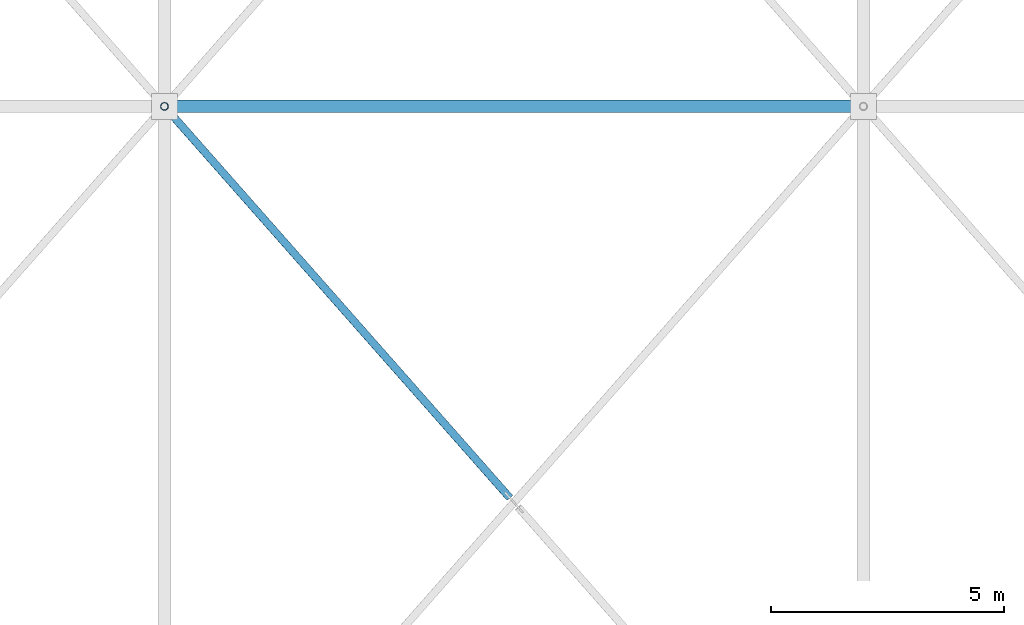
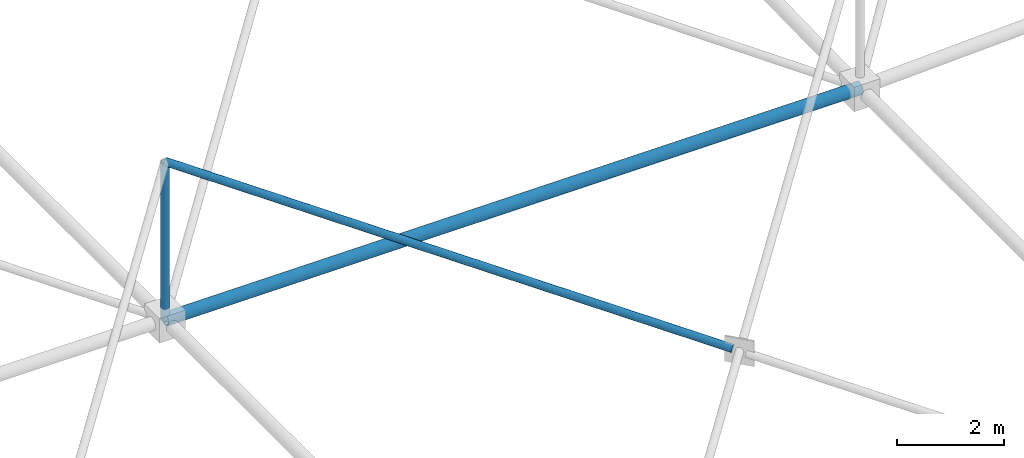
# One storey, part 101 of 224: 3 members.
"""IFC4 building model written with IfcOpenShell, lengths in metres."""

from ifc_helpers import new_model, si_unit, direction, frame, origin, origin_2d, place, context, subcontext, project, spatial, hollow_circle, extrude, material, material_profile, profile_set, type_object, element, save


model = new_model("IFC4")

# Units and contexts
model_context = context("Model", 3, precision=1e-05, world=origin(), true_north=direction((0.0, 1.0)))
body_context = subcontext(model_context, "Body", "Model", "MODEL_VIEW")
ifc_project = project(units=[si_unit("LENGTHUNIT", "METRE"), si_unit("AREAUNIT", "SQUARE_METRE"), si_unit("VOLUMEUNIT", "CUBIC_METRE"), si_unit("PLANEANGLEUNIT", "RADIAN"), si_unit("MASSUNIT", "GRAM", prefix="KILO")], contexts=[model_context])

# Site, building, storey
site_placement = place(None, origin())
site = spatial("IfcSite", under=ifc_project, at=site_placement, CompositionType="ELEMENT")
building_placement = place(site_placement, origin())
building = spatial("IfcBuilding", under=site, at=building_placement, Name="Qamarlyn Nura Convention Centre", CompositionType="ELEMENT")
storey_placement = place(building_placement, frame((0.0, 0.0, 10.800048828125)))
storey = spatial("IfcBuildingStorey", under=building, at=storey_placement, Name="L02", CompositionType="ELEMENT", Elevation=10.800048828125)

# Members
ifc_material = material(Name="Pearl-white PVDF steel ASTM A500 Grade C", Category="steel")
ifc_material_profile_1 = material_profile(ifc_material, hollow_circle(Radius=0.136474609375, WallThickness=0.012451171875, at=origin_2d()), Name="CHS273X12.5")
ifc_profile_set_1 = profile_set([ifc_material_profile_1], Name="Pearl-white PVDF steel ASTM A500 Grade C")
member_type_1 = type_object("IfcMemberType", Name="SF-BC-MAIN", PredefinedType="CHORD", material=ifc_profile_set_1)
member_1_placement = place(storey_placement, frame((75.0, 86.0, 0.800048828125), z_axis=(0.999998155705, 0.0, 0.001920569375), x_axis=(0.0, 1.0, 0.0)))
element("IfcMember", 1, at=member_1_placement, inside=storey, type_object=member_type_1, Name="ROOF TRUSS space frame bottom chord X7-6", PredefinedType="CHORD", context=body_context, shape_type="SweptSolid", body=[
    extrude(hollow_circle(Radius=0.136474609375, WallThickness=0.012451171875, at=origin_2d()), origin(), (0.0, 0.0, 1.0), 15.0),
])
ifc_material_profile_2 = material_profile(ifc_material, hollow_circle(Radius=0.084228515625, WallThickness=0.008056640625, at=origin_2d()), Name="CHS168.3X8")
ifc_profile_set_2 = profile_set([ifc_material_profile_2], Name="Pearl-white PVDF steel ASTM A500 Grade C")
member_type_2 = type_object("IfcMemberType", Name="SF-WEB-STD", PredefinedType="BRACE", material=ifc_profile_set_2)
member_2_placement = place(storey_placement, frame((82.408447265625, 77.603759765625, 2.629150390625), z_axis=(-0.65350069478, 0.740634120751, 0.156198403007), x_axis=(-0.749837855365, -0.661621637087, 0.0)))
element("IfcMember", 2, at=member_2_placement, inside=storey, type_object=member_type_2, Name="ROOF TRUSS space frame split diagonal B2 7-5", PredefinedType="BRACE", context=body_context, shape_type="SweptSolid", body=[
    extrude(hollow_circle(Radius=0.084228515625, WallThickness=0.008056640625, at=origin_2d()), origin(), (0.0, 0.0, 1.0), 11.336669921875),
])
member_3_placement = place(storey_placement, frame((75.0, 86.0, 0.800048828125), z_axis=(0.0, 0.0, 1.0), x_axis=(1.0, 0.0, 0.0)))
element("IfcMember", 3, at=member_3_placement, inside=storey, type_object=member_type_2, Name="ROOF TRUSS space frame vertical 7-6", PredefinedType="BRACE", context=body_context, shape_type="SweptSolid", body=[
    extrude(hollow_circle(Radius=0.084228515625, WallThickness=0.008056640625, at=origin_2d()), origin(), (0.0, 0.0, 1.0), 3.599853515625),
])

save(model, "model.ifc")
